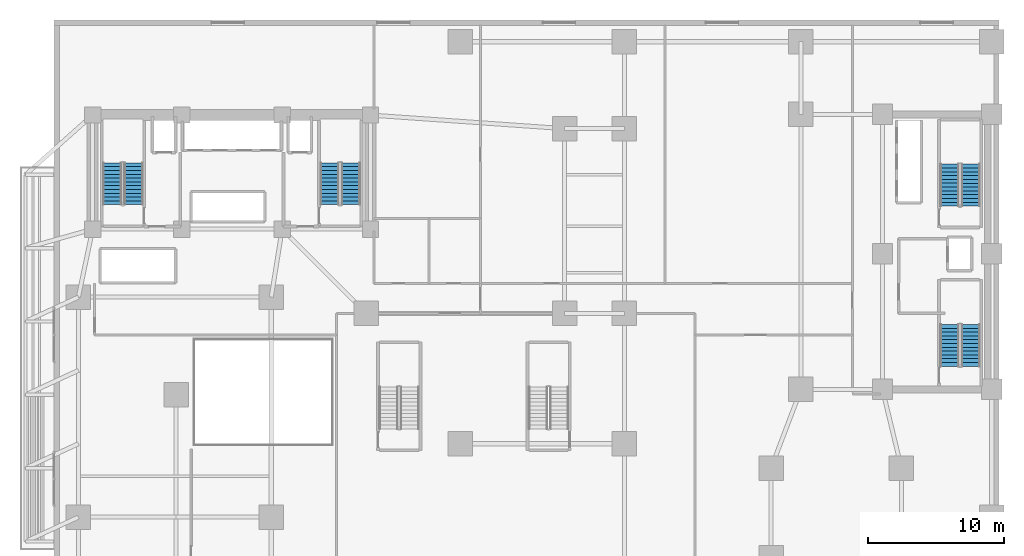
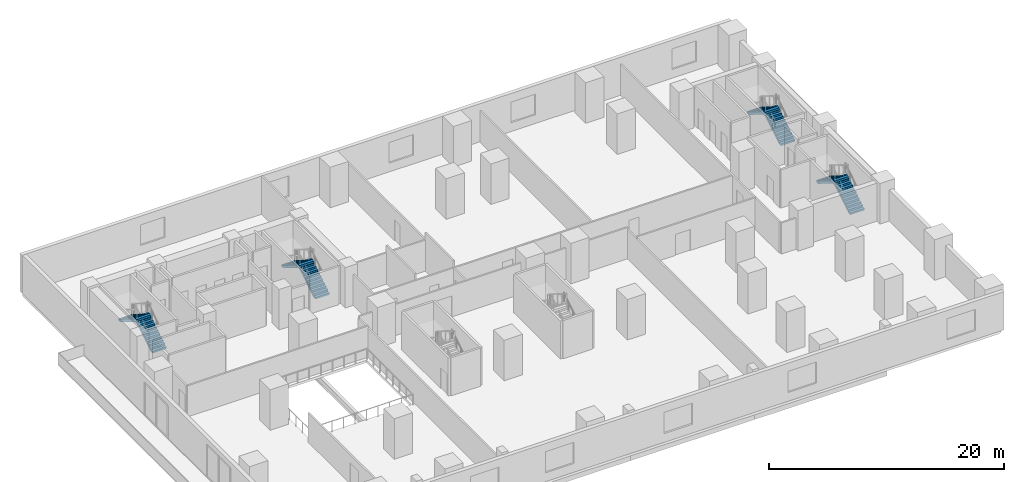
# One storey, part 9 of 13: 8 stair flights, 4 elements without a shape of their own.
"""IFC4 building model written with IfcOpenShell, lengths in metres."""

import ifcopenshell
import ifcopenshell.guid

model = None  # the IFC model being written
_history = None  # IfcOwnerHistory: only IFC2X3 demands one
_inside = {}  # id of a spatial element -> (the spatial element, [elements in it])
_under = {}  # id of a project, library or spatial element -> (it, [spatial elements below it])
_declared = {}  # id of a project -> (the project, [libraries it declares])
_typed = {}  # id of a type object -> (the type object, [elements of that type])
_made_of = {}  # id of a material, layer set ... -> (it, [elements and type objects made of it])


def new_model(schema):
    """Start an empty IFC model of exactly this schema.

    Asked for "IFC4X3", IfcOpenShell would pick the latest addendum, in which some entities
    have other attributes; the version numbers below select the first issue.
    IFC2X3 requires an IfcOwnerHistory on every rooted entity: one is made here for all.
    """
    global model, _history
    if schema == "IFC4X3":
        model = ifcopenshell.file(schema_version=(4, 3, 0, 0))
    else:
        model = ifcopenshell.file(schema=schema)
    _inside.clear()
    _under.clear()
    _declared.clear()
    _typed.clear()
    _made_of.clear()
    _history = None
    if model.schema == "IFC2X3":
        org = make("IfcOrganization", Name="unknown")
        user = make(
            "IfcPersonAndOrganization",
            ThePerson=make("IfcPerson", FamilyName="unknown"),
            TheOrganization=org,
        )
        app = make(
            "IfcApplication",
            ApplicationDeveloper=org,
            Version="unknown",
            ApplicationFullName="unknown",
            ApplicationIdentifier="unknown",
        )
        _history = make(
            "IfcOwnerHistory",
            OwningUser=user,
            OwningApplication=app,
            ChangeAction="ADDED",
            CreationDate=0,
        )
    return model


def make(cls, **values):
    """One entity of the class cls with the attributes given. An attribute that is None is left unset."""
    return model.create_entity(
        cls, **{name: value for name, value in values.items() if value is not None}
    )


def rooted(cls, **values):
    """An entity with a GlobalId (a new one), such as an element, a storey or a relation."""
    return make(cls, GlobalId=ifcopenshell.guid.new(), OwnerHistory=_history, **values)


def si_unit(unit_type, name, prefix=None):
    """IfcSIUnit, for example si_unit("LENGTHUNIT", "METRE", prefix="MILLI")."""
    return make("IfcSIUnit", UnitType=unit_type, Prefix=prefix, Name=name)


def assignment(units):
    """IfcUnitAssignment: the units of a project."""
    return None if units is None else make("IfcUnitAssignment", Units=units)


def point(xyz):
    """IfcCartesianPoint."""
    return None if xyz is None else make("IfcCartesianPoint", Coordinates=xyz)


def direction(xyz):
    """IfcDirection."""
    return None if xyz is None else make("IfcDirection", DirectionRatios=xyz)


def frame(location, z_axis=None, x_axis=None):
    """IfcAxis2Placement3D, a coordinate frame: its origin and axes. An axis left out is left unset."""
    return make(
        "IfcAxis2Placement3D",
        Location=point(location),
        Axis=direction(z_axis),
        RefDirection=direction(x_axis),
    )


def origin():
    """The frame at (0, 0, 0) with its axes left unset."""
    return frame((0.0, 0.0, 0.0))


def place(relative_to, where):
    """IfcLocalPlacement: puts the frame where relative to a parent placement (None: the world)."""
    return make(
        "IfcLocalPlacement", PlacementRelTo=relative_to, RelativePlacement=where
    )


def context(
    kind, dimensions, precision=None, world=None, true_north=None, identifier=None
):
    """IfcGeometricRepresentationContext, for example the 3D "Model" context."""
    return make(
        "IfcGeometricRepresentationContext",
        ContextIdentifier=identifier,
        ContextType=kind,
        CoordinateSpaceDimension=dimensions,
        Precision=precision,
        WorldCoordinateSystem=world,
        TrueNorth=true_north,
    )


def subcontext(parent, identifier, kind, view, scale=None):
    """IfcGeometricRepresentationSubContext, for example "Body" below "Model"."""
    return make(
        "IfcGeometricRepresentationSubContext",
        ContextIdentifier=identifier,
        ContextType=kind,
        ParentContext=parent,
        TargetScale=scale,
        TargetView=view,
    )


def project(units=None, contexts=None):
    """IfcProject with its units and contexts."""
    return rooted(
        "IfcProject",
        Name="project",
        RepresentationContexts=contexts,
        UnitsInContext=assignment(units),
    )


def spatial(cls, under=None, at=None, **own):
    """A site, building, storey or space (cls), placed at a placement, below another one or the project."""
    s = rooted(cls, ObjectPlacement=at, **own)
    if under is not None:
        _under.setdefault(under.id(), (under, []))[1].append(s)
    return s


def polyline(points):
    """IfcPolyline through the points."""
    return make("IfcPolyline", Points=[point(p) for p in points])


def outline(outer, holes=None, kind="AREA"):
    """IfcArbitraryClosedProfileDef: a profile drawn as a closed curve; with holes, ...WithVoids."""
    if holes is None:
        return make("IfcArbitraryClosedProfileDef", ProfileType=kind, OuterCurve=outer)
    return make(
        "IfcArbitraryProfileDefWithVoids",
        ProfileType=kind,
        OuterCurve=outer,
        InnerCurves=holes,
    )


def extrude(swept, where, along, depth):
    """IfcExtrudedAreaSolid: the profile swept, set in the frame where, extruded along a direction by depth."""
    return make(
        "IfcExtrudedAreaSolid",
        SweptArea=swept,
        Position=where,
        ExtrudedDirection=direction(along),
        Depth=depth,
    )


def shape(context_of_items, identifier, shape_type, items):
    """IfcShapeRepresentation: the items that make up one representation, for example the "Body"."""
    return make(
        "IfcShapeRepresentation",
        ContextOfItems=context_of_items,
        RepresentationIdentifier=identifier,
        RepresentationType=shape_type,
        Items=items,
    )


def material(Name=None, Category=None):
    """IfcMaterial."""
    return make("IfcMaterial", Name=Name, Category=Category)


def made_of(thing, what):
    """Note that an element or type object is made of a material, layer set ...; save() writes the relation."""
    if what is not None:
        _made_of.setdefault(what.id(), (what, []))[1].append(thing)
    return thing


def type_object(cls, material=None, **own):
    """A type object (cls), such as IfcWallType, which elements share."""
    return made_of(rooted(cls, **own), material)


def element(
    cls,
    number,
    at=None,
    inside=None,
    cuts=None,
    type_object=None,
    material=None,
    context=None,
    identifier="Body",
    shape_type=None,
    held_by="IfcProductDefinitionShape",
    body=None,
    shapes=None,
    **own,
):
    """One element of the class cls, such as IfcWall. Its Tag is "e" and its number.

    at: its placement. inside: the storey or other place that contains it. cuts: it is an
    opening in that element (IfcRelVoidsElement). A single representation is given by context,
    identifier, shape_type and body (its items); several are given by shapes. held_by: the class
    of the entity that holds the representations. save() writes the other relations.
    """
    e = rooted(cls, Tag="e%d" % number, ObjectPlacement=at, **own)
    if body is not None:
        shapes = [shape(context, identifier, shape_type, body)]
    if shapes is not None:
        e.Representation = make(held_by, Representations=shapes)
    if inside is not None:
        _inside.setdefault(inside.id(), (inside, []))[1].append(e)
    if cuts is not None:
        rooted(
            "IfcRelVoidsElement", RelatingBuildingElement=cuts, RelatedOpeningElement=e
        )
    if type_object is not None:
        _typed.setdefault(type_object.id(), (type_object, []))[1].append(e)
    return made_of(e, material)


def aggregate(whole, parts):
    """IfcRelAggregates: a whole, such as a stair, and the parts it consists of."""
    return rooted("IfcRelAggregates", RelatingObject=whole, RelatedObjects=parts)


def save(model, path):
    """Write the relations noted so far, then the file.

    IfcRelAggregates (storeys below a building ...), IfcRelContainedInSpatialStructure (elements
    in a storey), IfcRelDefinesByType, IfcRelAssociatesMaterial and IfcRelDeclares: one each for
    every whole, place, type object, material and project.
    """
    for whole, parts in _under.values():
        aggregate(whole, parts)
    for where, things in _inside.values():
        rooted(
            "IfcRelContainedInSpatialStructure",
            RelatedElements=things,
            RelatingStructure=where,
        )
    for kind, things in _typed.values():
        rooted("IfcRelDefinesByType", RelatedObjects=things, RelatingType=kind)
    for what, things in _made_of.values():
        rooted("IfcRelAssociatesMaterial", RelatedObjects=things, RelatingMaterial=what)
    for by, libraries in _declared.values():
        rooted("IfcRelDeclares", RelatingContext=by, RelatedDefinitions=libraries)
    model.write(path)


model = new_model("IFC4")

# Units and contexts
model_context = context("Model", 3, precision=1e-05, world=origin(), true_north=direction((0.0, 1.0)))
body_context = subcontext(model_context, "Body", "Model", "MODEL_VIEW")
ifc_project = project(units=[si_unit("LENGTHUNIT", "METRE"), si_unit("AREAUNIT", "SQUARE_METRE"), si_unit("VOLUMEUNIT", "CUBIC_METRE"), si_unit("PLANEANGLEUNIT", "RADIAN"), si_unit("MASSUNIT", "GRAM", prefix="KILO")], contexts=[model_context])

# Site, building, storey
site_placement = place(None, origin())
site = spatial("IfcSite", under=ifc_project, at=site_placement, CompositionType="ELEMENT")
building_placement = place(site_placement, origin())
building = spatial("IfcBuilding", under=site, at=building_placement, Name="Kuzgunbayir Cultural Tower", CompositionType="ELEMENT")
storey_placement = place(building_placement, frame((0.0, 0.0, 4.60009765625)))
storey = spatial("IfcBuildingStorey", under=building, at=storey_placement, Name="L01", CompositionType="ELEMENT", Elevation=4.60009765625)

# Stair, stair flights
ifc_material = material(Name="Concrete C40/50", Category="concrete")
stair_type = type_object("IfcStairType", Name="STR-EXIT-CORE", PredefinedType="HALF_TURN_STAIR", material=ifc_material)
stair_1_placement = place(storey_placement, origin())
stair_1 = element("IfcStair", 1, at=stair_1_placement, inside=storey, type_object=stair_type, Name="L01 ST-1", PredefinedType="HALF_TURN_STAIR")
stair_flight_type = type_object("IfcStairFlightType", Name="STRF-RC-140", PredefinedType="STRAIGHT", material=ifc_material)
stair_flight_1_placement = place(storey_placement, frame((9.4599609375, 35.60009765625, 0.0), z_axis=(0.0, 0.0, 1.0), x_axis=(0.0, 1.0, 0.0)))
stair_flight_1 = element("IfcStairFlight", 2, at=stair_flight_1_placement, type_object=stair_flight_type, Name="ST-1 flight 1", NumberOfRisers=12, NumberOfTreads=11, PredefinedType="STRAIGHT", RiserHeight=0.175, TreadLength=0.28, context=body_context, shape_type="SweptSolid", body=[
    extrude(outline(polyline([(0.0, 0.0), (0.0, 0.175048828125), (0.280029296875, 0.175048828125), (0.280029296875, 0.35009765625), (0.56005859375, 0.35009765625), (0.56005859375, 0.52490234375), (0.840087890625, 0.52490234375), (0.840087890625, 0.699951171875), (1.1201171875, 0.699951171875), (1.1201171875, 0.875), (1.39990234375, 0.875), (1.39990234375, 1.050048828125), (1.679931640625, 1.050048828125), (1.679931640625, 1.22509765625), (1.9599609375, 1.22509765625), (1.9599609375, 1.39990234375), (2.239990234375, 1.39990234375), (2.239990234375, 1.574951171875), (2.52001953125, 1.574951171875), (2.52001953125, 1.75), (2.800048828125, 1.75), (2.800048828125, 1.925048828125), (3.080078125, 1.925048828125), (3.080078125, 2.10009765625), (3.080078125, 1.712890625), (0.339599609375, 0.0), (0.0, 0.0)])), frame((0.0, 0.699951171875, 0.0), z_axis=(0.0, -1.0, 0.0), x_axis=(1.0, 0.0, 0.0)), (0.0, 0.0, 1.0), 1.39990234375),
])
stair_flight_2_placement = place(storey_placement, frame((7.89990234375, 38.679931640625, 2.099853515625), z_axis=(0.0, 0.0, 1.0), x_axis=(0.0, -1.0, 0.0)))
stair_flight_2 = element("IfcStairFlight", 3, at=stair_flight_2_placement, type_object=stair_flight_type, Name="ST-1 flight 2", NumberOfRisers=12, NumberOfTreads=11, PredefinedType="STRAIGHT", RiserHeight=0.175, TreadLength=0.28, context=body_context, shape_type="SweptSolid", body=[
    extrude(outline(polyline([(0.0, 0.0), (0.0, 0.175048828125), (0.280029296875, 0.175048828125), (0.280029296875, 0.35009765625), (0.56005859375, 0.35009765625), (0.56005859375, 0.52490234375), (0.840087890625, 0.52490234375), (0.840087890625, 0.699951171875), (1.1201171875, 0.699951171875), (1.1201171875, 0.875), (1.39990234375, 0.875), (1.39990234375, 1.050048828125), (1.679931640625, 1.050048828125), (1.679931640625, 1.22509765625), (1.9599609375, 1.22509765625), (1.9599609375, 1.39990234375), (2.239990234375, 1.39990234375), (2.239990234375, 1.574951171875), (2.52001953125, 1.574951171875), (2.52001953125, 1.75), (2.800048828125, 1.75), (2.800048828125, 1.925048828125), (3.080078125, 1.925048828125), (3.080078125, 2.10009765625), (3.080078125, 1.712890625), (0.339599609375, 0.0), (0.0, 0.0)])), frame((0.0, 0.699951171875, 0.0), z_axis=(0.0, -1.0, 0.0), x_axis=(1.0, 0.0, 0.0)), (0.0, 0.0, 1.0), 1.39990234375),
])
aggregate(stair_1, [stair_flight_1, stair_flight_2])

stair_2_placement = place(storey_placement, origin())
stair_2 = element("IfcStair", 4, at=stair_2_placement, inside=storey, type_object=stair_type, Name="L01 ST-2", PredefinedType="HALF_TURN_STAIR")
stair_flight_3_placement = place(storey_placement, frame((25.4599609375, 35.60009765625, 0.0), z_axis=(0.0, 0.0, 1.0), x_axis=(0.0, 1.0, 0.0)))
stair_flight_3 = element("IfcStairFlight", 5, at=stair_flight_3_placement, type_object=stair_flight_type, Name="ST-2 flight 1", NumberOfRisers=12, NumberOfTreads=11, PredefinedType="STRAIGHT", RiserHeight=0.175, TreadLength=0.28, context=body_context, shape_type="SweptSolid", body=[
    extrude(outline(polyline([(0.0, 0.0), (0.0, 0.175048828125), (0.280029296875, 0.175048828125), (0.280029296875, 0.35009765625), (0.56005859375, 0.35009765625), (0.56005859375, 0.52490234375), (0.840087890625, 0.52490234375), (0.840087890625, 0.699951171875), (1.1201171875, 0.699951171875), (1.1201171875, 0.875), (1.39990234375, 0.875), (1.39990234375, 1.050048828125), (1.679931640625, 1.050048828125), (1.679931640625, 1.22509765625), (1.9599609375, 1.22509765625), (1.9599609375, 1.39990234375), (2.239990234375, 1.39990234375), (2.239990234375, 1.574951171875), (2.52001953125, 1.574951171875), (2.52001953125, 1.75), (2.800048828125, 1.75), (2.800048828125, 1.925048828125), (3.080078125, 1.925048828125), (3.080078125, 2.10009765625), (3.080078125, 1.712890625), (0.339599609375, 0.0), (0.0, 0.0)])), frame((0.0, 0.699951171875, 0.0), z_axis=(0.0, -1.0, 0.0), x_axis=(1.0, 0.0, 0.0)), (0.0, 0.0, 1.0), 1.39990234375),
])
stair_flight_4_placement = place(storey_placement, frame((23.89990234375, 38.679931640625, 2.099853515625), z_axis=(0.0, 0.0, 1.0), x_axis=(0.0, -1.0, 0.0)))
stair_flight_4 = element("IfcStairFlight", 6, at=stair_flight_4_placement, type_object=stair_flight_type, Name="ST-2 flight 2", NumberOfRisers=12, NumberOfTreads=11, PredefinedType="STRAIGHT", RiserHeight=0.175, TreadLength=0.28, context=body_context, shape_type="SweptSolid", body=[
    extrude(outline(polyline([(0.0, 0.0), (0.0, 0.175048828125), (0.280029296875, 0.175048828125), (0.280029296875, 0.35009765625), (0.56005859375, 0.35009765625), (0.56005859375, 0.52490234375), (0.840087890625, 0.52490234375), (0.840087890625, 0.699951171875), (1.1201171875, 0.699951171875), (1.1201171875, 0.875), (1.39990234375, 0.875), (1.39990234375, 1.050048828125), (1.679931640625, 1.050048828125), (1.679931640625, 1.22509765625), (1.9599609375, 1.22509765625), (1.9599609375, 1.39990234375), (2.239990234375, 1.39990234375), (2.239990234375, 1.574951171875), (2.52001953125, 1.574951171875), (2.52001953125, 1.75), (2.800048828125, 1.75), (2.800048828125, 1.925048828125), (3.080078125, 1.925048828125), (3.080078125, 2.10009765625), (3.080078125, 1.712890625), (0.339599609375, 0.0), (0.0, 0.0)])), frame((0.0, 0.699951171875, 0.0), z_axis=(0.0, -1.0, 0.0), x_axis=(1.0, 0.0, 0.0)), (0.0, 0.0, 1.0), 1.39990234375),
])
aggregate(stair_2, [stair_flight_3, stair_flight_4])

stair_3_placement = place(storey_placement, origin())
stair_3 = element("IfcStair", 7, at=stair_3_placement, inside=storey, type_object=stair_type, Name="L01 ST-3", PredefinedType="HALF_TURN_STAIR")
stair_flight_5_placement = place(storey_placement, frame((71.10009765625, 23.699951171875, 0.0), z_axis=(0.0, 0.0, 1.0), x_axis=(0.0, 1.0, 0.0)))
stair_flight_5 = element("IfcStairFlight", 8, at=stair_flight_5_placement, type_object=stair_flight_type, Name="ST-3 flight 1", NumberOfRisers=12, NumberOfTreads=11, PredefinedType="STRAIGHT", RiserHeight=0.175, TreadLength=0.28, context=body_context, shape_type="SweptSolid", body=[
    extrude(outline(polyline([(0.0, 0.0), (0.0, 0.175048828125), (0.280029296875, 0.175048828125), (0.280029296875, 0.35009765625), (0.56005859375, 0.35009765625), (0.56005859375, 0.52490234375), (0.840087890625, 0.52490234375), (0.840087890625, 0.699951171875), (1.1201171875, 0.699951171875), (1.1201171875, 0.875), (1.39990234375, 0.875), (1.39990234375, 1.050048828125), (1.679931640625, 1.050048828125), (1.679931640625, 1.22509765625), (1.9599609375, 1.22509765625), (1.9599609375, 1.39990234375), (2.239990234375, 1.39990234375), (2.239990234375, 1.574951171875), (2.52001953125, 1.574951171875), (2.52001953125, 1.75), (2.800048828125, 1.75), (2.800048828125, 1.925048828125), (3.080078125, 1.925048828125), (3.080078125, 2.10009765625), (3.080078125, 1.712890625), (0.339599609375, 0.0), (0.0, 0.0)])), frame((0.0, 0.699951171875, 0.0), z_axis=(0.0, -1.0, 0.0), x_axis=(1.0, 0.0, 0.0)), (0.0, 0.0, 1.0), 1.39990234375),
])
stair_flight_6_placement = place(storey_placement, frame((69.5400390625, 26.780029296875, 2.099853515625), z_axis=(0.0, 0.0, 1.0), x_axis=(0.0, -1.0, 0.0)))
stair_flight_6 = element("IfcStairFlight", 9, at=stair_flight_6_placement, type_object=stair_flight_type, Name="ST-3 flight 2", NumberOfRisers=12, NumberOfTreads=11, PredefinedType="STRAIGHT", RiserHeight=0.175, TreadLength=0.28, context=body_context, shape_type="SweptSolid", body=[
    extrude(outline(polyline([(0.0, 0.0), (0.0, 0.175048828125), (0.280029296875, 0.175048828125), (0.280029296875, 0.35009765625), (0.56005859375, 0.35009765625), (0.56005859375, 0.52490234375), (0.840087890625, 0.52490234375), (0.840087890625, 0.699951171875), (1.1201171875, 0.699951171875), (1.1201171875, 0.875), (1.39990234375, 0.875), (1.39990234375, 1.050048828125), (1.679931640625, 1.050048828125), (1.679931640625, 1.22509765625), (1.9599609375, 1.22509765625), (1.9599609375, 1.39990234375), (2.239990234375, 1.39990234375), (2.239990234375, 1.574951171875), (2.52001953125, 1.574951171875), (2.52001953125, 1.75), (2.800048828125, 1.75), (2.800048828125, 1.925048828125), (3.080078125, 1.925048828125), (3.080078125, 2.10009765625), (3.080078125, 1.712890625), (0.339599609375, 0.0), (0.0, 0.0)])), frame((0.0, 0.699951171875, 0.0), z_axis=(0.0, -1.0, 0.0), x_axis=(1.0, 0.0, 0.0)), (0.0, 0.0, 1.0), 1.39990234375),
])
aggregate(stair_3, [stair_flight_5, stair_flight_6])

stair_4_placement = place(storey_placement, origin())
stair_4 = element("IfcStair", 10, at=stair_4_placement, inside=storey, type_object=stair_type, Name="L01 ST-4", PredefinedType="HALF_TURN_STAIR")
stair_flight_7_placement = place(storey_placement, frame((71.10009765625, 35.5, 0.0), z_axis=(0.0, 0.0, 1.0), x_axis=(0.0, 1.0, 0.0)))
stair_flight_7 = element("IfcStairFlight", 11, at=stair_flight_7_placement, type_object=stair_flight_type, Name="ST-4 flight 1", NumberOfRisers=12, NumberOfTreads=11, PredefinedType="STRAIGHT", RiserHeight=0.175, TreadLength=0.28, context=body_context, shape_type="SweptSolid", body=[
    extrude(outline(polyline([(0.0, 0.0), (0.0, 0.175048828125), (0.280029296875, 0.175048828125), (0.280029296875, 0.35009765625), (0.56005859375, 0.35009765625), (0.56005859375, 0.52490234375), (0.840087890625, 0.52490234375), (0.840087890625, 0.699951171875), (1.1201171875, 0.699951171875), (1.1201171875, 0.875), (1.39990234375, 0.875), (1.39990234375, 1.050048828125), (1.679931640625, 1.050048828125), (1.679931640625, 1.22509765625), (1.9599609375, 1.22509765625), (1.9599609375, 1.39990234375), (2.239990234375, 1.39990234375), (2.239990234375, 1.574951171875), (2.52001953125, 1.574951171875), (2.52001953125, 1.75), (2.800048828125, 1.75), (2.800048828125, 1.925048828125), (3.080078125, 1.925048828125), (3.080078125, 2.10009765625), (3.080078125, 1.712890625), (0.339599609375, 0.0), (0.0, 0.0)])), frame((0.0, 0.699951171875, 0.0), z_axis=(0.0, -1.0, 0.0), x_axis=(1.0, 0.0, 0.0)), (0.0, 0.0, 1.0), 1.39990234375),
])
stair_flight_8_placement = place(storey_placement, frame((69.5400390625, 38.580078125, 2.099853515625), z_axis=(0.0, 0.0, 1.0), x_axis=(0.0, -1.0, 0.0)))
stair_flight_8 = element("IfcStairFlight", 12, at=stair_flight_8_placement, type_object=stair_flight_type, Name="ST-4 flight 2", NumberOfRisers=12, NumberOfTreads=11, PredefinedType="STRAIGHT", RiserHeight=0.175, TreadLength=0.28, context=body_context, shape_type="SweptSolid", body=[
    extrude(outline(polyline([(0.0, 0.0), (0.0, 0.175048828125), (0.280029296875, 0.175048828125), (0.280029296875, 0.35009765625), (0.56005859375, 0.35009765625), (0.56005859375, 0.52490234375), (0.840087890625, 0.52490234375), (0.840087890625, 0.699951171875), (1.1201171875, 0.699951171875), (1.1201171875, 0.875), (1.39990234375, 0.875), (1.39990234375, 1.050048828125), (1.679931640625, 1.050048828125), (1.679931640625, 1.22509765625), (1.9599609375, 1.22509765625), (1.9599609375, 1.39990234375), (2.239990234375, 1.39990234375), (2.239990234375, 1.574951171875), (2.52001953125, 1.574951171875), (2.52001953125, 1.75), (2.800048828125, 1.75), (2.800048828125, 1.925048828125), (3.080078125, 1.925048828125), (3.080078125, 2.10009765625), (3.080078125, 1.712890625), (0.339599609375, 0.0), (0.0, 0.0)])), frame((0.0, 0.699951171875, 0.0), z_axis=(0.0, -1.0, 0.0), x_axis=(1.0, 0.0, 0.0)), (0.0, 0.0, 1.0), 1.39990234375),
])
aggregate(stair_4, [stair_flight_7, stair_flight_8])

save(model, "model.ifc")
